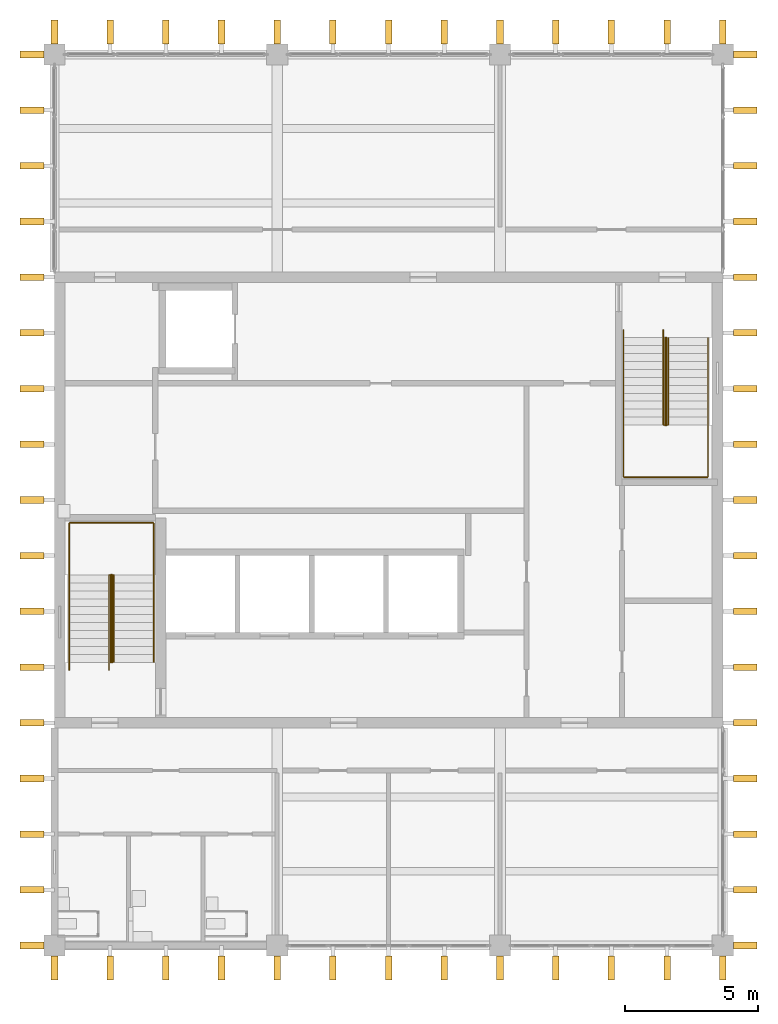
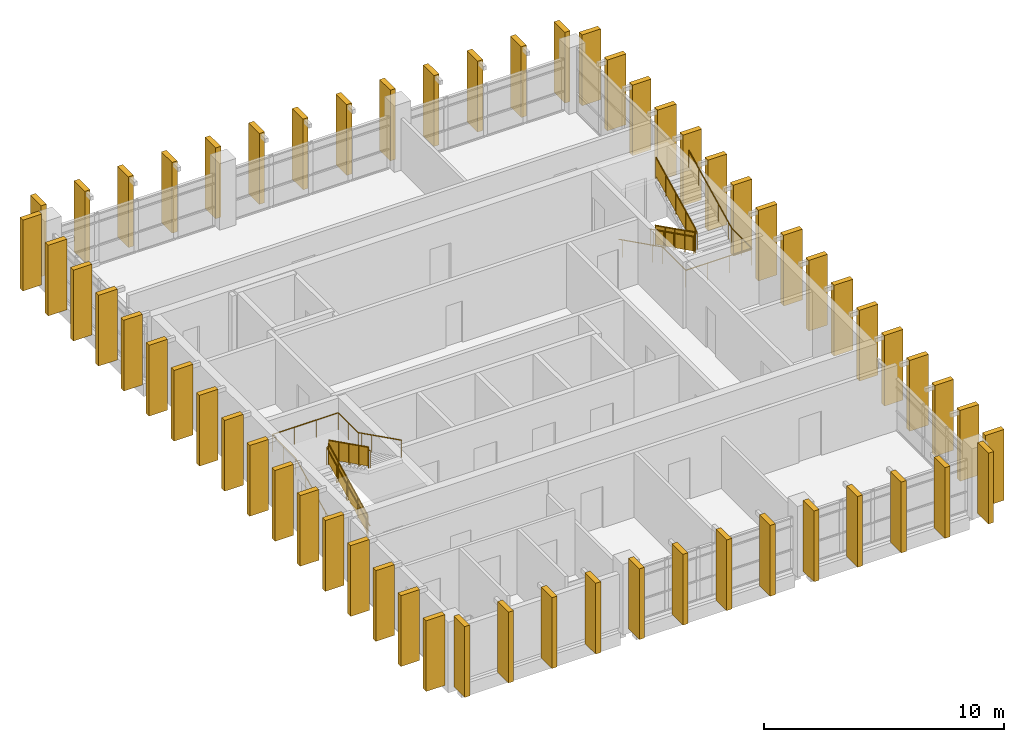
# One storey, part 10 of 11: 60 shading devices, 8 railings.
"""IFC4 building model written with IfcOpenShell, lengths in metres."""

import ifcopenshell
import ifcopenshell.guid

model = None  # the IFC model being written
_history = None  # IfcOwnerHistory: only IFC2X3 demands one
_inside = {}  # id of a spatial element -> (the spatial element, [elements in it])
_under = {}  # id of a project, library or spatial element -> (it, [spatial elements below it])
_declared = {}  # id of a project -> (the project, [libraries it declares])
_typed = {}  # id of a type object -> (the type object, [elements of that type])
_made_of = {}  # id of a material, layer set ... -> (it, [elements and type objects made of it])


def new_model(schema):
    """Start an empty IFC model of exactly this schema.

    Asked for "IFC4X3", IfcOpenShell would pick the latest addendum, in which some entities
    have other attributes; the version numbers below select the first issue.
    IFC2X3 requires an IfcOwnerHistory on every rooted entity: one is made here for all.
    """
    global model, _history
    if schema == "IFC4X3":
        model = ifcopenshell.file(schema_version=(4, 3, 0, 0))
    else:
        model = ifcopenshell.file(schema=schema)
    _inside.clear()
    _under.clear()
    _declared.clear()
    _typed.clear()
    _made_of.clear()
    _history = None
    if model.schema == "IFC2X3":
        org = make("IfcOrganization", Name="unknown")
        user = make(
            "IfcPersonAndOrganization",
            ThePerson=make("IfcPerson", FamilyName="unknown"),
            TheOrganization=org,
        )
        app = make(
            "IfcApplication",
            ApplicationDeveloper=org,
            Version="unknown",
            ApplicationFullName="unknown",
            ApplicationIdentifier="unknown",
        )
        _history = make(
            "IfcOwnerHistory",
            OwningUser=user,
            OwningApplication=app,
            ChangeAction="ADDED",
            CreationDate=0,
        )
    return model


def make(cls, **values):
    """One entity of the class cls with the attributes given. An attribute that is None is left unset."""
    return model.create_entity(
        cls, **{name: value for name, value in values.items() if value is not None}
    )


def rooted(cls, **values):
    """An entity with a GlobalId (a new one), such as an element, a storey or a relation."""
    return make(cls, GlobalId=ifcopenshell.guid.new(), OwnerHistory=_history, **values)


def si_unit(unit_type, name, prefix=None):
    """IfcSIUnit, for example si_unit("LENGTHUNIT", "METRE", prefix="MILLI")."""
    return make("IfcSIUnit", UnitType=unit_type, Prefix=prefix, Name=name)


def assignment(units):
    """IfcUnitAssignment: the units of a project."""
    return None if units is None else make("IfcUnitAssignment", Units=units)


def point(xyz):
    """IfcCartesianPoint."""
    return None if xyz is None else make("IfcCartesianPoint", Coordinates=xyz)


def direction(xyz):
    """IfcDirection."""
    return None if xyz is None else make("IfcDirection", DirectionRatios=xyz)


def frame(location, z_axis=None, x_axis=None):
    """IfcAxis2Placement3D, a coordinate frame: its origin and axes. An axis left out is left unset."""
    return make(
        "IfcAxis2Placement3D",
        Location=point(location),
        Axis=direction(z_axis),
        RefDirection=direction(x_axis),
    )


def frame_2d(location, x_axis=None):
    """IfcAxis2Placement2D, a coordinate frame in the plane: its origin and x axis."""
    return make(
        "IfcAxis2Placement2D", Location=point(location), RefDirection=direction(x_axis)
    )


def origin():
    """The frame at (0, 0, 0) with its axes left unset."""
    return frame((0.0, 0.0, 0.0))


def origin_2d():
    """The frame at (0, 0) in the plane with its x axis left unset."""
    return frame_2d((0.0, 0.0))


def place(relative_to, where):
    """IfcLocalPlacement: puts the frame where relative to a parent placement (None: the world)."""
    return make(
        "IfcLocalPlacement", PlacementRelTo=relative_to, RelativePlacement=where
    )


def context(
    kind, dimensions, precision=None, world=None, true_north=None, identifier=None
):
    """IfcGeometricRepresentationContext, for example the 3D "Model" context."""
    return make(
        "IfcGeometricRepresentationContext",
        ContextIdentifier=identifier,
        ContextType=kind,
        CoordinateSpaceDimension=dimensions,
        Precision=precision,
        WorldCoordinateSystem=world,
        TrueNorth=true_north,
    )


def subcontext(parent, identifier, kind, view, scale=None):
    """IfcGeometricRepresentationSubContext, for example "Body" below "Model"."""
    return make(
        "IfcGeometricRepresentationSubContext",
        ContextIdentifier=identifier,
        ContextType=kind,
        ParentContext=parent,
        TargetScale=scale,
        TargetView=view,
    )


def project(units=None, contexts=None):
    """IfcProject with its units and contexts."""
    return rooted(
        "IfcProject",
        Name="project",
        RepresentationContexts=contexts,
        UnitsInContext=assignment(units),
    )


def spatial(cls, under=None, at=None, **own):
    """A site, building, storey or space (cls), placed at a placement, below another one or the project."""
    s = rooted(cls, ObjectPlacement=at, **own)
    if under is not None:
        _under.setdefault(under.id(), (under, []))[1].append(s)
    return s


def polyline(points):
    """IfcPolyline through the points."""
    return make("IfcPolyline", Points=[point(p) for p in points])


def profile(cls, at=None, kind="AREA", **sizes):
    """A parametric profile (cls). Its sizes go by their IFC names, for example OverallWidth=200.0."""
    return make(cls, ProfileType=kind, Position=at, **sizes)


def rectangle(**sizes):
    """IfcRectangleProfileDef."""
    return profile("IfcRectangleProfileDef", **sizes)


def circle(**sizes):
    """IfcCircleProfileDef."""
    return profile("IfcCircleProfileDef", **sizes)


def outline(outer, holes=None, kind="AREA"):
    """IfcArbitraryClosedProfileDef: a profile drawn as a closed curve; with holes, ...WithVoids."""
    if holes is None:
        return make("IfcArbitraryClosedProfileDef", ProfileType=kind, OuterCurve=outer)
    return make(
        "IfcArbitraryProfileDefWithVoids",
        ProfileType=kind,
        OuterCurve=outer,
        InnerCurves=holes,
    )


def extrude(swept, where, along, depth):
    """IfcExtrudedAreaSolid: the profile swept, set in the frame where, extruded along a direction by depth."""
    return make(
        "IfcExtrudedAreaSolid",
        SweptArea=swept,
        Position=where,
        ExtrudedDirection=direction(along),
        Depth=depth,
    )


def shape(context_of_items, identifier, shape_type, items):
    """IfcShapeRepresentation: the items that make up one representation, for example the "Body"."""
    return make(
        "IfcShapeRepresentation",
        ContextOfItems=context_of_items,
        RepresentationIdentifier=identifier,
        RepresentationType=shape_type,
        Items=items,
    )


def material(Name=None, Category=None):
    """IfcMaterial."""
    return make("IfcMaterial", Name=Name, Category=Category)


def material_profile(
    of_material, cross_section, Name=None, Category=None, Priority=None
):
    """IfcMaterialProfile: a cross section and its material."""
    return make(
        "IfcMaterialProfile",
        Name=Name,
        Material=of_material,
        Profile=cross_section,
        Priority=Priority,
        Category=Category,
    )


def profile_set(profiles, Name=None, composite=None):
    """IfcMaterialProfileSet."""
    return make(
        "IfcMaterialProfileSet",
        Name=Name,
        MaterialProfiles=profiles,
        CompositeProfile=composite,
    )


def made_of(thing, what):
    """Note that an element or type object is made of a material, layer set ...; save() writes the relation."""
    if what is not None:
        _made_of.setdefault(what.id(), (what, []))[1].append(thing)
    return thing


def type_object(cls, material=None, **own):
    """A type object (cls), such as IfcWallType, which elements share."""
    return made_of(rooted(cls, **own), material)


def element(
    cls,
    number,
    at=None,
    inside=None,
    cuts=None,
    type_object=None,
    material=None,
    context=None,
    identifier="Body",
    shape_type=None,
    held_by="IfcProductDefinitionShape",
    body=None,
    shapes=None,
    **own,
):
    """One element of the class cls, such as IfcWall. Its Tag is "e" and its number.

    at: its placement. inside: the storey or other place that contains it. cuts: it is an
    opening in that element (IfcRelVoidsElement). A single representation is given by context,
    identifier, shape_type and body (its items); several are given by shapes. held_by: the class
    of the entity that holds the representations. save() writes the other relations.
    """
    e = rooted(cls, Tag="e%d" % number, ObjectPlacement=at, **own)
    if body is not None:
        shapes = [shape(context, identifier, shape_type, body)]
    if shapes is not None:
        e.Representation = make(held_by, Representations=shapes)
    if inside is not None:
        _inside.setdefault(inside.id(), (inside, []))[1].append(e)
    if cuts is not None:
        rooted(
            "IfcRelVoidsElement", RelatingBuildingElement=cuts, RelatedOpeningElement=e
        )
    if type_object is not None:
        _typed.setdefault(type_object.id(), (type_object, []))[1].append(e)
    return made_of(e, material)


def aggregate(whole, parts):
    """IfcRelAggregates: a whole, such as a stair, and the parts it consists of."""
    return rooted("IfcRelAggregates", RelatingObject=whole, RelatedObjects=parts)


def save(model, path):
    """Write the relations noted so far, then the file.

    IfcRelAggregates (storeys below a building ...), IfcRelContainedInSpatialStructure (elements
    in a storey), IfcRelDefinesByType, IfcRelAssociatesMaterial and IfcRelDeclares: one each for
    every whole, place, type object, material and project.
    """
    for whole, parts in _under.values():
        aggregate(whole, parts)
    for where, things in _inside.values():
        rooted(
            "IfcRelContainedInSpatialStructure",
            RelatedElements=things,
            RelatingStructure=where,
        )
    for kind, things in _typed.values():
        rooted("IfcRelDefinesByType", RelatedObjects=things, RelatingType=kind)
    for what, things in _made_of.values():
        rooted("IfcRelAssociatesMaterial", RelatedObjects=things, RelatingMaterial=what)
    for by, libraries in _declared.values():
        rooted("IfcRelDeclares", RelatingContext=by, RelatedDefinitions=libraries)
    model.write(path)


model = new_model("IFC4")

# Units and contexts
model_context = context("Model", 3, precision=1e-05, world=origin(), true_north=direction((0.0, 1.0)))
body_context = subcontext(model_context, "Body", "Model", "MODEL_VIEW")
ifc_project = project(units=[si_unit("LENGTHUNIT", "METRE"), si_unit("AREAUNIT", "SQUARE_METRE"), si_unit("VOLUMEUNIT", "CUBIC_METRE"), si_unit("PLANEANGLEUNIT", "RADIAN"), si_unit("MASSUNIT", "GRAM", prefix="KILO")], contexts=[model_context])

# Site, building, storey
site_placement = place(None, origin())
site = spatial("IfcSite", under=ifc_project, at=site_placement, CompositionType="ELEMENT")
building_placement = place(site_placement, origin())
building = spatial("IfcBuilding", under=site, at=building_placement, Name="Rulbaag Community and Learning Centre", CompositionType="ELEMENT")
storey_placement = place(building_placement, frame((0.0, 0.0, 43.199951171875)))
storey = spatial("IfcBuildingStorey", under=building, at=storey_placement, Name="L11", CompositionType="ELEMENT", Elevation=43.199951171875)

# Shading devices
ifc_material_1 = material(Name="Concrete M40", Category="concrete")
ifc_material_profile = material_profile(ifc_material_1, rectangle(XDim=0.25, YDim=0.89990234375, at=origin_2d()), Name="PC 250x900")
ifc_profile_set = profile_set([ifc_material_profile], Name="Concrete M40")
shading_device_type = type_object("IfcShadingDeviceType", Name="FIN-H", PredefinedType="JALOUSIE", material=ifc_profile_set)
for number, where, z_axis, x_axis, name in (
    (1, (142.800048828125, 83.14990234375, 0.0), (0.0, 0.0, 1.0), (1.0, 0.0, 0.0), "Precast fin"),
    (2, (144.89990234375, 83.14990234375, 0.0), (0.0, 0.0, 1.0), (1.0, 0.0, 0.0), "Precast fin"),
    (3, (147.0, 83.14990234375, 0.0), (0.0, 0.0, 1.0), (1.0, 0.0, 0.0), "Precast fin"),
    (4, (149.10009765625, 83.14990234375, 0.0), (0.0, 0.0, 1.0), (1.0, 0.0, 0.0), "Precast fin"),
    (5, (151.199951171875, 83.14990234375, 0.0), (0.0, 0.0, 1.0), (1.0, 0.0, 0.0), "Precast fin"),
    (6, (153.300048828125, 83.14990234375, 0.0), (0.0, 0.0, 1.0), (1.0, 0.0, 0.0), "Precast fin"),
    (7, (155.39990234375, 83.14990234375, 0.0), (0.0, 0.0, 1.0), (1.0, 0.0, 0.0), "Precast fin"),
    (8, (157.5, 83.14990234375, 0.0), (0.0, 0.0, 1.0), (1.0, 0.0, 0.0), "Precast fin"),
    (9, (159.60009765625, 83.14990234375, 0.0), (0.0, 0.0, 1.0), (1.0, 0.0, 0.0), "Precast fin"),
    (10, (161.699951171875, 83.14990234375, 0.0), (0.0, 0.0, 1.0), (1.0, 0.0, 0.0), "Precast fin"),
    (11, (163.800048828125, 83.14990234375, 0.0), (0.0, 0.0, 1.0), (1.0, 0.0, 0.0), "Precast fin"),
    (12, (165.89990234375, 83.14990234375, 0.0), (0.0, 0.0, 1.0), (1.0, 0.0, 0.0), "Precast fin"),
    (13, (168.0, 83.14990234375, 0.0), (0.0, 0.0, 1.0), (1.0, 0.0, 0.0), "Precast fin"),
    (14, (142.800048828125, 118.449951171875, 0.0), (0.0, 0.0, 1.0), (1.0, 0.0, 0.0), "Precast fin"),
    (15, (144.89990234375, 118.449951171875, 0.0), (0.0, 0.0, 1.0), (1.0, 0.0, 0.0), "Precast fin"),
    (16, (147.0, 118.449951171875, 0.0), (0.0, 0.0, 1.0), (1.0, 0.0, 0.0), "Precast fin"),
    (17, (149.10009765625, 118.449951171875, 0.0), (0.0, 0.0, 1.0), (1.0, 0.0, 0.0), "Precast fin"),
    (18, (151.199951171875, 118.449951171875, 0.0), (0.0, 0.0, 1.0), (1.0, 0.0, 0.0), "Precast fin"),
    (19, (153.300048828125, 118.449951171875, 0.0), (0.0, 0.0, 1.0), (1.0, 0.0, 0.0), "Precast fin"),
    (20, (155.39990234375, 118.449951171875, 0.0), (0.0, 0.0, 1.0), (1.0, 0.0, 0.0), "Precast fin"),
    (21, (157.5, 118.449951171875, 0.0), (0.0, 0.0, 1.0), (1.0, 0.0, 0.0), "Precast fin"),
    (22, (159.60009765625, 118.449951171875, 0.0), (0.0, 0.0, 1.0), (1.0, 0.0, 0.0), "Precast fin"),
    (23, (161.699951171875, 118.449951171875, 0.0), (0.0, 0.0, 1.0), (1.0, 0.0, 0.0), "Precast fin"),
    (24, (163.800048828125, 118.449951171875, 0.0), (0.0, 0.0, 1.0), (1.0, 0.0, 0.0), "Precast fin"),
    (25, (165.89990234375, 118.449951171875, 0.0), (0.0, 0.0, 1.0), (1.0, 0.0, 0.0), "Precast fin"),
    (26, (168.0, 118.449951171875, 0.0), (0.0, 0.0, 1.0), (1.0, 0.0, 0.0), "Precast fin"),
    (27, (141.949951171875, 84.0, 0.0), (0.0, 0.0, 1.0), (0.0, 1.0, 0.0), "Precast fin"),
    (28, (141.949951171875, 86.10009765625, 0.0), (0.0, 0.0, 1.0), (0.0, 1.0, 0.0), "Precast fin"),
    (29, (141.949951171875, 88.199951171875, 0.0), (0.0, 0.0, 1.0), (0.0, 1.0, 0.0), "Precast fin"),
    (30, (141.949951171875, 90.300048828125, 0.0), (0.0, 0.0, 1.0), (0.0, 1.0, 0.0), "Precast fin"),
    (31, (141.949951171875, 92.39990234375, 0.0), (0.0, 0.0, 1.0), (0.0, 1.0, 0.0), "Precast fin"),
    (32, (141.949951171875, 94.5, 0.0), (0.0, 0.0, 1.0), (0.0, 1.0, 0.0), "Precast fin"),
    (33, (141.949951171875, 96.60009765625, 0.0), (0.0, 0.0, 1.0), (0.0, 1.0, 0.0), "Precast fin"),
    (34, (141.949951171875, 98.699951171875, 0.0), (0.0, 0.0, 1.0), (0.0, 1.0, 0.0), "Precast fin"),
    (35, (141.949951171875, 100.800048828125, 0.0), (0.0, 0.0, 1.0), (0.0, 1.0, 0.0), "Precast fin"),
    (36, (141.949951171875, 102.89990234375, 0.0), (0.0, 0.0, 1.0), (0.0, 1.0, 0.0), "Precast fin"),
    (37, (141.949951171875, 105.0, 0.0), (0.0, 0.0, 1.0), (0.0, 1.0, 0.0), "Precast fin"),
    (38, (141.949951171875, 107.10009765625, 0.0), (0.0, 0.0, 1.0), (0.0, 1.0, 0.0), "Precast fin"),
    (39, (141.949951171875, 109.199951171875, 0.0), (0.0, 0.0, 1.0), (0.0, 1.0, 0.0), "Precast fin"),
    (40, (141.949951171875, 111.300048828125, 0.0), (0.0, 0.0, 1.0), (0.0, 1.0, 0.0), "Precast fin"),
    (41, (141.949951171875, 113.39990234375, 0.0), (0.0, 0.0, 1.0), (0.0, 1.0, 0.0), "Precast fin"),
    (42, (141.949951171875, 115.5, 0.0), (0.0, 0.0, 1.0), (0.0, 1.0, 0.0), "Precast fin"),
    (43, (141.949951171875, 117.60009765625, 0.0), (0.0, 0.0, 1.0), (0.0, 1.0, 0.0), "Precast fin"),
    (44, (168.85009765625, 84.0, 0.0), (0.0, 0.0, 1.0), (0.0, 1.0, 0.0), "Precast fin"),
    (45, (168.85009765625, 86.10009765625, 0.0), (0.0, 0.0, 1.0), (0.0, 1.0, 0.0), "Precast fin"),
    (46, (168.85009765625, 88.199951171875, 0.0), (0.0, 0.0, 1.0), (0.0, 1.0, 0.0), "Precast fin"),
    (47, (168.85009765625, 90.300048828125, 0.0), (0.0, 0.0, 1.0), (0.0, 1.0, 0.0), "Precast fin"),
    (48, (168.85009765625, 92.39990234375, 0.0), (0.0, 0.0, 1.0), (0.0, 1.0, 0.0), "Precast fin"),
    (49, (168.85009765625, 94.5, 0.0), (0.0, 0.0, 1.0), (0.0, 1.0, 0.0), "Precast fin"),
    (50, (168.85009765625, 96.60009765625, 0.0), (0.0, 0.0, 1.0), (0.0, 1.0, 0.0), "Precast fin"),
    (51, (168.85009765625, 98.699951171875, 0.0), (0.0, 0.0, 1.0), (0.0, 1.0, 0.0), "Precast fin"),
    (52, (168.85009765625, 100.800048828125, 0.0), (0.0, 0.0, 1.0), (0.0, 1.0, 0.0), "Precast fin"),
    (53, (168.85009765625, 102.89990234375, 0.0), (0.0, 0.0, 1.0), (0.0, 1.0, 0.0), "Precast fin"),
    (54, (168.85009765625, 105.0, 0.0), (0.0, 0.0, 1.0), (0.0, 1.0, 0.0), "Precast fin"),
    (55, (168.85009765625, 107.10009765625, 0.0), (0.0, 0.0, 1.0), (0.0, 1.0, 0.0), "Precast fin"),
    (56, (168.85009765625, 109.199951171875, 0.0), (0.0, 0.0, 1.0), (0.0, 1.0, 0.0), "Precast fin"),
    (57, (168.85009765625, 111.300048828125, 0.0), (0.0, 0.0, 1.0), (0.0, 1.0, 0.0), "Precast fin"),
    (58, (168.85009765625, 113.39990234375, 0.0), (0.0, 0.0, 1.0), (0.0, 1.0, 0.0), "Precast fin"),
    (59, (168.85009765625, 115.5, 0.0), (0.0, 0.0, 1.0), (0.0, 1.0, 0.0), "Precast fin"),
    (60, (168.85009765625, 117.60009765625, 0.0), (0.0, 0.0, 1.0), (0.0, 1.0, 0.0), "Precast fin"),
):
    element("IfcShadingDevice", number, at=place(storey_placement, frame(where, z_axis=z_axis, x_axis=x_axis)), inside=storey, type_object=shading_device_type, Name=name, PredefinedType="JALOUSIE", context=body_context, shape_type="SweptSolid", body=[
        extrude(rectangle(XDim=0.25, YDim=0.89990234375, at=origin_2d()), origin(), (0.0, 0.0, 1.0), 3.60009765625),
    ])

# Railings
ifc_material_2 = material(Name="Galvanised mild steel", Category="steel")
railing_type_1 = type_object("IfcRailingType", Name="GR-1100 GUARD 1100", PredefinedType="GUARDRAIL", material=ifc_material_2)
railing_1_placement = place(storey_placement, frame((144.929931640625, 94.675048828125, 0.150146484375)))
element("IfcRailing", 61, at=railing_1_placement, inside=storey, type_object=railing_type_1, Name="Guard ST1 L11 G", PredefinedType="GUARDRAIL", context=body_context, shape_type="SweptSolid", body=[
    extrude(circle(Radius=0.02490234375, at=origin_2d()), frame((0.0, 0.0, 1.0751953125), z_axis=(0.0, 0.894440424912, 0.447187126696), x_axis=(-1.0, 0.0, 0.0)), (0.0, 0.0, 1.0), 3.689453125),
    extrude(circle(Radius=0.02001953125, at=origin_2d()), origin(), (0.0, 0.0, 1.0), 1.050048828125),
    extrude(circle(Radius=0.02001953125, at=origin_2d()), frame((0.0, 0.824951171875, 0.41259765625)), (0.0, 0.0, 1.0), 1.050048828125),
    extrude(circle(Radius=0.02001953125, at=origin_2d()), frame((0.0, 1.64990234375, 0.824951171875)), (0.0, 0.0, 1.0), 1.050048828125),
    extrude(circle(Radius=0.02001953125, at=origin_2d()), frame((0.0, 2.47509765625, 1.2373046875)), (0.0, 0.0, 1.0), 1.050048828125),
    extrude(circle(Radius=0.02001953125, at=origin_2d()), frame((0.0, 3.300048828125, 1.64990234375)), (0.0, 0.0, 1.0), 1.050048828125),
    extrude(outline(polyline([(0.0, 0.0), (3.300048828125, 1.64990234375), (3.300048828125, 2.599853515625), (0.0, 0.949951171875), (0.0, 0.0)])), frame((-0.0048828125, 0.0, 0.10009765625), z_axis=(1.0, 0.0, 0.0), x_axis=(0.0, 1.0, 0.0)), (0.0, 0.0, 1.0), 0.010009765625),
])
railing_2_placement = place(storey_placement, frame((144.969970703125, 97.97509765625, 1.949951171875)))
element("IfcRailing", 62, at=railing_2_placement, inside=storey, type_object=railing_type_1, Name="Guard ST1 L11 G2", PredefinedType="GUARDRAIL", context=body_context, shape_type="SweptSolid", body=[
    extrude(circle(Radius=0.02490234375, at=origin_2d()), frame((0.0, 0.0, 1.0751953125), z_axis=(0.0, -0.894413956696, 0.447240063129), x_axis=(1.0, 0.0, 0.0)), (0.0, 0.0, 1.0), 3.689697265625),
    extrude(circle(Radius=0.02001953125, at=origin_2d()), origin(), (0.0, 0.0, 1.0), 1.050048828125),
    extrude(circle(Radius=0.02001953125, at=origin_2d()), frame((0.0, -0.824951171875, 0.41259765625)), (0.0, 0.0, 1.0), 1.050048828125),
    extrude(circle(Radius=0.02001953125, at=origin_2d()), frame((0.0, -1.64990234375, 0.8251953125)), (0.0, 0.0, 1.0), 1.050048828125),
    extrude(circle(Radius=0.02001953125, at=origin_2d()), frame((0.0, -2.47509765625, 1.237548828125)), (0.0, 0.0, 1.0), 1.050048828125),
    extrude(circle(Radius=0.02001953125, at=origin_2d()), frame((0.0, -3.300048828125, 1.650146484375)), (0.0, 0.0, 1.0), 1.050048828125),
    extrude(outline(polyline([(0.0, 0.0), (3.300048828125, 1.650146484375), (3.300048828125, 2.60009765625), (0.0, 0.949951171875), (0.0, 0.0)])), frame((0.0048828125, 0.0, 0.10009765625), z_axis=(-1.0, 0.0, 0.0), x_axis=(0.0, -1.0, 0.0)), (0.0, 0.0, 1.0), 0.010009765625),
])
railing_3_placement = place(storey_placement, frame((165.830078125, 106.925048828125, 0.150146484375)))
element("IfcRailing", 63, at=railing_3_placement, inside=storey, type_object=railing_type_1, Name="Guard ST2 L11 G", PredefinedType="GUARDRAIL", context=body_context, shape_type="SweptSolid", body=[
    extrude(circle(Radius=0.02490234375, at=origin_2d()), frame((0.0, 0.0, 1.0751953125), z_axis=(0.0, -0.894440424912, 0.447187126696), x_axis=(1.0, 0.0, 0.0)), (0.0, 0.0, 1.0), 3.689453125),
    extrude(circle(Radius=0.02001953125, at=origin_2d()), origin(), (0.0, 0.0, 1.0), 1.050048828125),
    extrude(circle(Radius=0.02001953125, at=origin_2d()), frame((0.0, -0.824951171875, 0.41259765625)), (0.0, 0.0, 1.0), 1.050048828125),
    extrude(circle(Radius=0.02001953125, at=origin_2d()), frame((0.0, -1.64990234375, 0.824951171875)), (0.0, 0.0, 1.0), 1.050048828125),
    extrude(circle(Radius=0.02001953125, at=origin_2d()), frame((0.0, -2.47509765625, 1.2373046875)), (0.0, 0.0, 1.0), 1.050048828125),
    extrude(circle(Radius=0.02001953125, at=origin_2d()), frame((0.0, -3.300048828125, 1.64990234375)), (0.0, 0.0, 1.0), 1.050048828125),
    extrude(outline(polyline([(0.0, 0.0), (3.300048828125, 1.64990234375), (3.300048828125, 2.599853515625), (0.0, 0.949951171875), (0.0, 0.0)])), frame((0.0048828125, 0.0, 0.10009765625), z_axis=(-1.0, 0.0, 0.0), x_axis=(0.0, -1.0, 0.0)), (0.0, 0.0, 1.0), 0.010009765625),
])
railing_4_placement = place(storey_placement, frame((165.8701171875, 103.625, 1.949951171875)))
element("IfcRailing", 64, at=railing_4_placement, inside=storey, type_object=railing_type_1, Name="Guard ST2 L11 G2", PredefinedType="GUARDRAIL", context=body_context, shape_type="SweptSolid", body=[
    extrude(circle(Radius=0.02490234375, at=origin_2d()), frame((0.0, 0.0, 1.0751953125), z_axis=(0.0, 0.894413956696, 0.447240063129), x_axis=(-1.0, 0.0, 0.0)), (0.0, 0.0, 1.0), 3.689697265625),
    extrude(circle(Radius=0.02001953125, at=origin_2d()), origin(), (0.0, 0.0, 1.0), 1.050048828125),
    extrude(circle(Radius=0.02001953125, at=origin_2d()), frame((0.0, 0.824951171875, 0.41259765625)), (0.0, 0.0, 1.0), 1.050048828125),
    extrude(circle(Radius=0.02001953125, at=origin_2d()), frame((0.0, 1.64990234375, 0.8251953125)), (0.0, 0.0, 1.0), 1.050048828125),
    extrude(circle(Radius=0.02001953125, at=origin_2d()), frame((0.0, 2.47509765625, 1.237548828125)), (0.0, 0.0, 1.0), 1.050048828125),
    extrude(circle(Radius=0.02001953125, at=origin_2d()), frame((0.0, 3.300048828125, 1.650146484375)), (0.0, 0.0, 1.0), 1.050048828125),
    extrude(outline(polyline([(0.0, 0.0), (3.300048828125, 1.650146484375), (3.300048828125, 2.60009765625), (0.0, 0.949951171875), (0.0, 0.0)])), frame((-0.0048828125, 0.0, 0.10009765625), z_axis=(1.0, 0.0, 0.0), x_axis=(0.0, 1.0, 0.0)), (0.0, 0.0, 1.0), 0.010009765625),
])
ifc_material_3 = material(Name="Stainless steel grade 316", Category="steel")
railing_type_2 = type_object("IfcRailingType", Name="HR-900 HANDRAIL 900", PredefinedType="HANDRAIL", material=ifc_material_3)
railing_5_placement = place(storey_placement, frame((143.360107421875, 94.375, 0.0)))
element("IfcRailing", 65, at=railing_5_placement, inside=storey, type_object=railing_type_2, Name="Handrail ST1 L11 O", PredefinedType="HANDRAIL", context=body_context, shape_type="SweptSolid", body=[
    extrude(circle(Radius=0.024169921875, at=origin_2d()), frame((0.0, 0.0, 0.875732421875), z_axis=(0.0, 0.894281613681, 0.447504631744), x_axis=(-1.0, 0.0, 0.0)), (0.0, 0.0, 1.0), 0.33544921875),
    extrude(circle(Radius=0.024169921875, at=origin_2d()), frame((0.0, 0.300048828125, 1.02587890625), z_axis=(0.0, 0.894440424912, 0.447187126696), x_axis=(-1.0, 0.0, 0.0)), (0.0, 0.0, 1.0), 3.689453125),
    extrude(circle(Radius=0.024169921875, at=origin_2d()), frame((0.0, 3.60009765625, 2.67578125), z_axis=(0.0, 1.0, 0.0), x_axis=(-1.0, 0.0, 0.0)), (0.0, 0.0, 1.0), 1.96484375),
    extrude(circle(Radius=0.024169921875, at=origin_2d()), frame((0.0, 5.56494140625, 2.67578125), z_axis=(1.0, 0.0, 0.0), x_axis=(0.0, 1.0, 0.0)), (0.0, 0.0, 1.0), 3.179931640625),
    extrude(circle(Radius=0.024169921875, at=origin_2d()), frame((3.179931640625, 5.56494140625, 2.67578125), z_axis=(0.0, -1.0, 0.0), x_axis=(1.0, 0.0, 0.0)), (0.0, 0.0, 1.0), 1.6650390625),
    extrude(circle(Radius=0.024169921875, at=origin_2d()), frame((3.179931640625, 3.89990234375, 2.67578125), z_axis=(0.0, -0.894427191, 0.4472135955), x_axis=(1.0, 0.0, 0.0)), (0.0, 0.0, 1.0), 0.335205078125),
    extrude(circle(Radius=0.024169921875, at=origin_2d()), frame((3.179931640625, 3.60009765625, 2.82568359375), z_axis=(0.0, -0.894413956696, 0.447240063129), x_axis=(1.0, 0.0, 0.0)), (0.0, 0.0, 1.0), 3.689697265625),
    extrude(circle(Radius=0.008056640625, at=origin_2d()), origin(), (0.0, 0.0, 1.0), 0.8515625),
    extrude(circle(Radius=0.008056640625, at=origin_2d()), frame((0.0, 0.300048828125, 0.150146484375)), (0.0, 0.0, 1.0), 0.8515625),
    extrude(circle(Radius=0.008056640625, at=origin_2d()), frame((0.0, 1.125, 0.5625)), (0.0, 0.0, 1.0), 0.8515625),
    extrude(circle(Radius=0.008056640625, at=origin_2d()), frame((0.0, 1.9501953125, 0.97509765625)), (0.0, 0.0, 1.0), 0.8515625),
    extrude(circle(Radius=0.008056640625, at=origin_2d()), frame((0.0, 2.775146484375, 1.3876953125)), (0.0, 0.0, 1.0), 0.8515625),
    extrude(circle(Radius=0.008056640625, at=origin_2d()), frame((0.0, 3.60009765625, 1.800048828125)), (0.0, 0.0, 1.0), 0.8515625),
    extrude(circle(Radius=0.008056640625, at=origin_2d()), frame((0.0, 4.58251953125, 1.800048828125)), (0.0, 0.0, 1.0), 0.8515625),
    extrude(circle(Radius=0.008056640625, at=origin_2d()), frame((0.0, 5.56494140625, 1.800048828125)), (0.0, 0.0, 1.0), 0.8515625),
    extrude(circle(Radius=0.008056640625, at=origin_2d()), frame((1.06005859375, 5.56494140625, 1.800048828125)), (0.0, 0.0, 1.0), 0.8515625),
    extrude(circle(Radius=0.008056640625, at=origin_2d()), frame((2.119873046875, 5.56494140625, 1.800048828125)), (0.0, 0.0, 1.0), 0.8515625),
    extrude(circle(Radius=0.008056640625, at=origin_2d()), frame((3.179931640625, 5.56494140625, 1.800048828125)), (0.0, 0.0, 1.0), 0.8515625),
    extrude(circle(Radius=0.008056640625, at=origin_2d()), frame((3.179931640625, 4.732421875, 1.800048828125)), (0.0, 0.0, 1.0), 0.8515625),
    extrude(circle(Radius=0.008056640625, at=origin_2d()), frame((3.179931640625, 3.89990234375, 1.800048828125)), (0.0, 0.0, 1.0), 0.8515625),
    extrude(circle(Radius=0.008056640625, at=origin_2d()), frame((3.179931640625, 3.60009765625, 1.949951171875)), (0.0, 0.0, 1.0), 0.8515625),
    extrude(circle(Radius=0.008056640625, at=origin_2d()), frame((3.179931640625, 2.775146484375, 2.362548828125)), (0.0, 0.0, 1.0), 0.8515625),
    extrude(circle(Radius=0.008056640625, at=origin_2d()), frame((3.179931640625, 1.9501953125, 2.77490234375)), (0.0, 0.0, 1.0), 0.8515625),
    extrude(circle(Radius=0.008056640625, at=origin_2d()), frame((3.179931640625, 1.125, 3.1875)), (0.0, 0.0, 1.0), 0.8515625),
    extrude(circle(Radius=0.008056640625, at=origin_2d()), frame((3.179931640625, 0.300048828125, 3.60009765625)), (0.0, 0.0, 1.0), 0.8515625),
])
railing_6_placement = place(storey_placement, frame((144.860107421875, 94.375, 0.0)))
element("IfcRailing", 66, at=railing_6_placement, inside=storey, type_object=railing_type_2, Name="Handrail ST1 L11 I", PredefinedType="HANDRAIL", context=body_context, shape_type="SweptSolid", body=[
    extrude(circle(Radius=0.024169921875, at=origin_2d()), frame((0.0, 0.0, 0.875732421875), z_axis=(0.0, 0.894281613681, 0.447504631744), x_axis=(-1.0, 0.0, 0.0)), (0.0, 0.0, 1.0), 0.33544921875),
    extrude(circle(Radius=0.024169921875, at=origin_2d()), frame((0.0, 0.300048828125, 1.02587890625), z_axis=(0.0, 0.894440424912, 0.447187126696), x_axis=(-1.0, 0.0, 0.0)), (0.0, 0.0, 1.0), 3.689453125),
    extrude(circle(Radius=0.024169921875, at=origin_2d()), frame((0.0, 3.60009765625, 2.67578125), z_axis=(0.768306721819, 0.0, 0.640081855084), x_axis=(0.0, 1.0, 0.0)), (0.0, 0.0, 1.0), 0.234130859375),
    extrude(circle(Radius=0.024169921875, at=origin_2d()), frame((0.179931640625, 3.60009765625, 2.82568359375), z_axis=(0.0, -0.894413956696, 0.447240063129), x_axis=(1.0, 0.0, 0.0)), (0.0, 0.0, 1.0), 3.689697265625),
    extrude(circle(Radius=0.008056640625, at=origin_2d()), origin(), (0.0, 0.0, 1.0), 0.8515625),
    extrude(circle(Radius=0.008056640625, at=origin_2d()), frame((0.0, 0.300048828125, 0.150146484375)), (0.0, 0.0, 1.0), 0.8515625),
    extrude(circle(Radius=0.008056640625, at=origin_2d()), frame((0.0, 1.125, 0.5625)), (0.0, 0.0, 1.0), 0.8515625),
    extrude(circle(Radius=0.008056640625, at=origin_2d()), frame((0.0, 1.9501953125, 0.97509765625)), (0.0, 0.0, 1.0), 0.8515625),
    extrude(circle(Radius=0.008056640625, at=origin_2d()), frame((0.0, 2.775146484375, 1.3876953125)), (0.0, 0.0, 1.0), 0.8515625),
    extrude(circle(Radius=0.008056640625, at=origin_2d()), frame((0.0, 3.60009765625, 1.800048828125)), (0.0, 0.0, 1.0), 0.8515625),
    extrude(circle(Radius=0.008056640625, at=origin_2d()), frame((0.179931640625, 3.60009765625, 1.949951171875)), (0.0, 0.0, 1.0), 0.8515625),
    extrude(circle(Radius=0.008056640625, at=origin_2d()), frame((0.179931640625, 2.775146484375, 2.362548828125)), (0.0, 0.0, 1.0), 0.8515625),
    extrude(circle(Radius=0.008056640625, at=origin_2d()), frame((0.179931640625, 1.9501953125, 2.77490234375)), (0.0, 0.0, 1.0), 0.8515625),
    extrude(circle(Radius=0.008056640625, at=origin_2d()), frame((0.179931640625, 1.125, 3.1875)), (0.0, 0.0, 1.0), 0.8515625),
    extrude(circle(Radius=0.008056640625, at=origin_2d()), frame((0.179931640625, 0.300048828125, 3.60009765625)), (0.0, 0.0, 1.0), 0.8515625),
])
railing_7_placement = place(storey_placement, frame((164.260009765625, 107.22509765625, 0.0)))
element("IfcRailing", 67, at=railing_7_placement, inside=storey, type_object=railing_type_2, Name="Handrail ST2 L11 O", PredefinedType="HANDRAIL", context=body_context, shape_type="SweptSolid", body=[
    extrude(circle(Radius=0.024169921875, at=origin_2d()), frame((0.0, 0.0, 0.875732421875), z_axis=(0.0, -0.894281613681, 0.447504631744), x_axis=(1.0, 0.0, 0.0)), (0.0, 0.0, 1.0), 0.33544921875),
    extrude(circle(Radius=0.024169921875, at=origin_2d()), frame((0.0, -0.300048828125, 1.02587890625), z_axis=(0.0, -0.894440424912, 0.447187126696), x_axis=(1.0, 0.0, 0.0)), (0.0, 0.0, 1.0), 3.689453125),
    extrude(circle(Radius=0.024169921875, at=origin_2d()), frame((0.0, -3.60009765625, 2.67578125), z_axis=(0.0, -1.0, 0.0), x_axis=(1.0, 0.0, 0.0)), (0.0, 0.0, 1.0), 1.965087890625),
    extrude(circle(Radius=0.024169921875, at=origin_2d()), frame((0.0, -5.565185546875, 2.67578125), z_axis=(1.0, 0.0, 0.0), x_axis=(0.0, 1.0, 0.0)), (0.0, 0.0, 1.0), 3.179931640625),
    extrude(circle(Radius=0.024169921875, at=origin_2d()), frame((3.179931640625, -5.565185546875, 2.67578125), z_axis=(0.0, 1.0, 0.0), x_axis=(-1.0, 0.0, 0.0)), (0.0, 0.0, 1.0), 1.6650390625),
    extrude(circle(Radius=0.024169921875, at=origin_2d()), frame((3.179931640625, -3.900146484375, 2.67578125), z_axis=(0.0, 0.894572720946, 0.446922417137), x_axis=(-1.0, 0.0, 0.0)), (0.0, 0.0, 1.0), 0.33544921875),
    extrude(circle(Radius=0.024169921875, at=origin_2d()), frame((3.179931640625, -3.60009765625, 2.82568359375), z_axis=(0.0, 0.894413956696, 0.447240063129), x_axis=(-1.0, 0.0, 0.0)), (0.0, 0.0, 1.0), 3.689697265625),
    extrude(circle(Radius=0.008056640625, at=origin_2d()), origin(), (0.0, 0.0, 1.0), 0.8515625),
    extrude(circle(Radius=0.008056640625, at=origin_2d()), frame((0.0, -0.300048828125, 0.150146484375)), (0.0, 0.0, 1.0), 0.8515625),
    extrude(circle(Radius=0.008056640625, at=origin_2d()), frame((0.0, -1.125, 0.5625)), (0.0, 0.0, 1.0), 0.8515625),
    extrude(circle(Radius=0.008056640625, at=origin_2d()), frame((0.0, -1.9501953125, 0.97509765625)), (0.0, 0.0, 1.0), 0.8515625),
    extrude(circle(Radius=0.008056640625, at=origin_2d()), frame((0.0, -2.775146484375, 1.3876953125)), (0.0, 0.0, 1.0), 0.8515625),
    extrude(circle(Radius=0.008056640625, at=origin_2d()), frame((0.0, -3.60009765625, 1.800048828125)), (0.0, 0.0, 1.0), 0.8515625),
    extrude(circle(Radius=0.008056640625, at=origin_2d()), frame((0.0, -4.58251953125, 1.800048828125)), (0.0, 0.0, 1.0), 0.8515625),
    extrude(circle(Radius=0.008056640625, at=origin_2d()), frame((0.0, -5.565185546875, 1.800048828125)), (0.0, 0.0, 1.0), 0.8515625),
    extrude(circle(Radius=0.008056640625, at=origin_2d()), frame((1.06005859375, -5.565185546875, 1.800048828125)), (0.0, 0.0, 1.0), 0.8515625),
    extrude(circle(Radius=0.008056640625, at=origin_2d()), frame((2.119873046875, -5.565185546875, 1.800048828125)), (0.0, 0.0, 1.0), 0.8515625),
    extrude(circle(Radius=0.008056640625, at=origin_2d()), frame((3.179931640625, -5.565185546875, 1.800048828125)), (0.0, 0.0, 1.0), 0.8515625),
    extrude(circle(Radius=0.008056640625, at=origin_2d()), frame((3.179931640625, -4.732666015625, 1.800048828125)), (0.0, 0.0, 1.0), 0.8515625),
    extrude(circle(Radius=0.008056640625, at=origin_2d()), frame((3.179931640625, -3.900146484375, 1.800048828125)), (0.0, 0.0, 1.0), 0.8515625),
    extrude(circle(Radius=0.008056640625, at=origin_2d()), frame((3.179931640625, -3.60009765625, 1.949951171875)), (0.0, 0.0, 1.0), 0.8515625),
    extrude(circle(Radius=0.008056640625, at=origin_2d()), frame((3.179931640625, -2.775146484375, 2.362548828125)), (0.0, 0.0, 1.0), 0.8515625),
    extrude(circle(Radius=0.008056640625, at=origin_2d()), frame((3.179931640625, -1.9501953125, 2.77490234375)), (0.0, 0.0, 1.0), 0.8515625),
    extrude(circle(Radius=0.008056640625, at=origin_2d()), frame((3.179931640625, -1.125, 3.1875)), (0.0, 0.0, 1.0), 0.8515625),
    extrude(circle(Radius=0.008056640625, at=origin_2d()), frame((3.179931640625, -0.300048828125, 3.60009765625)), (0.0, 0.0, 1.0), 0.8515625),
])
railing_8_placement = place(storey_placement, frame((165.760009765625, 107.22509765625, 0.0)))
element("IfcRailing", 68, at=railing_8_placement, inside=storey, type_object=railing_type_2, Name="Handrail ST2 L11 I", PredefinedType="HANDRAIL", context=body_context, shape_type="SweptSolid", body=[
    extrude(circle(Radius=0.024169921875, at=origin_2d()), frame((0.0, 0.0, 0.875732421875), z_axis=(0.0, -0.894281613681, 0.447504631744), x_axis=(1.0, 0.0, 0.0)), (0.0, 0.0, 1.0), 0.33544921875),
    extrude(circle(Radius=0.024169921875, at=origin_2d()), frame((0.0, -0.300048828125, 1.02587890625), z_axis=(0.0, -0.894440424912, 0.447187126696), x_axis=(1.0, 0.0, 0.0)), (0.0, 0.0, 1.0), 3.689453125),
    extrude(circle(Radius=0.024169921875, at=origin_2d()), frame((0.0, -3.60009765625, 2.67578125), z_axis=(0.768306721819, 0.0, 0.640081855084), x_axis=(0.0, 1.0, 0.0)), (0.0, 0.0, 1.0), 0.234130859375),
    extrude(circle(Radius=0.024169921875, at=origin_2d()), frame((0.179931640625, -3.60009765625, 2.82568359375), z_axis=(0.0, 0.894413956696, 0.447240063129), x_axis=(-1.0, 0.0, 0.0)), (0.0, 0.0, 1.0), 3.689697265625),
    extrude(circle(Radius=0.008056640625, at=origin_2d()), origin(), (0.0, 0.0, 1.0), 0.8515625),
    extrude(circle(Radius=0.008056640625, at=origin_2d()), frame((0.0, -0.300048828125, 0.150146484375)), (0.0, 0.0, 1.0), 0.8515625),
    extrude(circle(Radius=0.008056640625, at=origin_2d()), frame((0.0, -1.125, 0.5625)), (0.0, 0.0, 1.0), 0.8515625),
    extrude(circle(Radius=0.008056640625, at=origin_2d()), frame((0.0, -1.9501953125, 0.97509765625)), (0.0, 0.0, 1.0), 0.8515625),
    extrude(circle(Radius=0.008056640625, at=origin_2d()), frame((0.0, -2.775146484375, 1.3876953125)), (0.0, 0.0, 1.0), 0.8515625),
    extrude(circle(Radius=0.008056640625, at=origin_2d()), frame((0.0, -3.60009765625, 1.800048828125)), (0.0, 0.0, 1.0), 0.8515625),
    extrude(circle(Radius=0.008056640625, at=origin_2d()), frame((0.179931640625, -3.60009765625, 1.949951171875)), (0.0, 0.0, 1.0), 0.8515625),
    extrude(circle(Radius=0.008056640625, at=origin_2d()), frame((0.179931640625, -2.775146484375, 2.362548828125)), (0.0, 0.0, 1.0), 0.8515625),
    extrude(circle(Radius=0.008056640625, at=origin_2d()), frame((0.179931640625, -1.9501953125, 2.77490234375)), (0.0, 0.0, 1.0), 0.8515625),
    extrude(circle(Radius=0.008056640625, at=origin_2d()), frame((0.179931640625, -1.125, 3.1875)), (0.0, 0.0, 1.0), 0.8515625),
    extrude(circle(Radius=0.008056640625, at=origin_2d()), frame((0.179931640625, -0.300048828125, 3.60009765625)), (0.0, 0.0, 1.0), 0.8515625),
])

save(model, "model.ifc")
